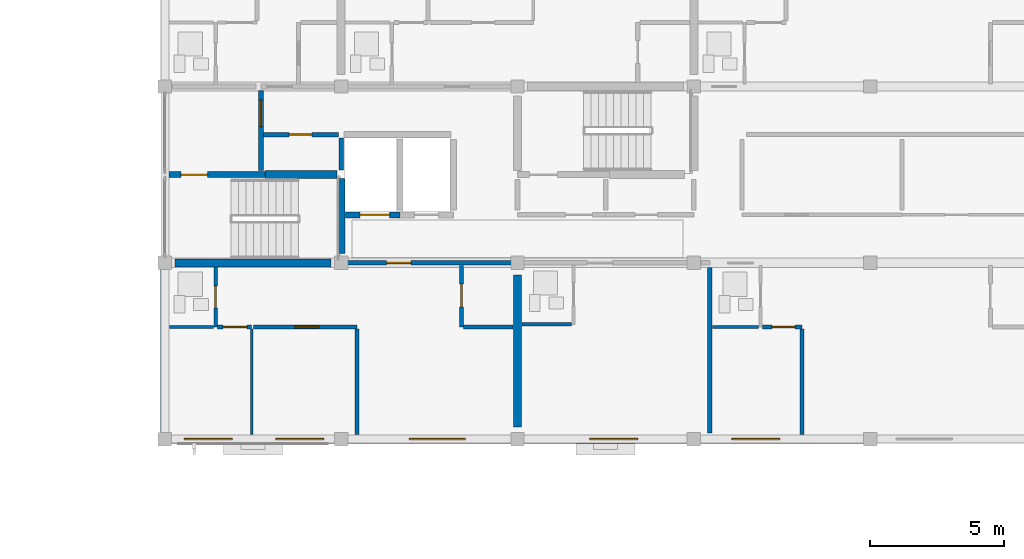
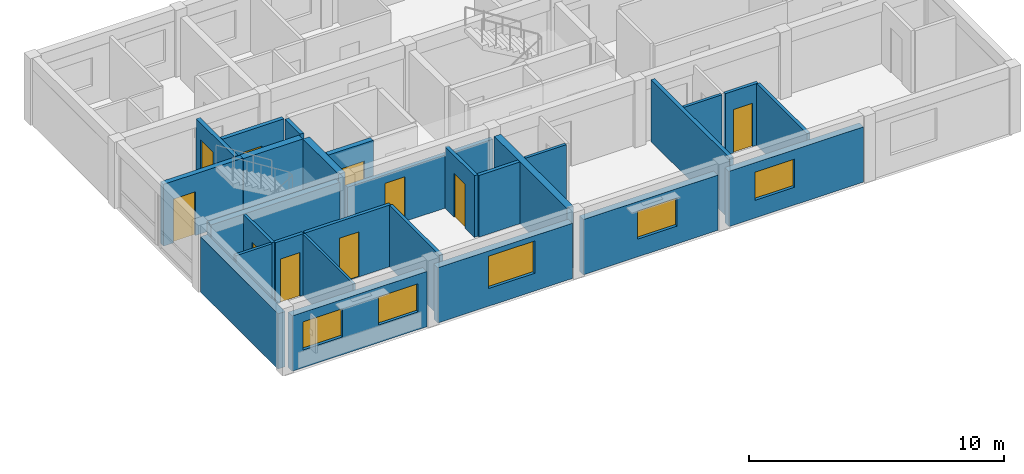
# One storey, part 37 of 53: 28 walls, 10 doors, 5 windows, 15 openings.
"""IFC4 building model written with IfcOpenShell, lengths in metres."""

import ifcopenshell
import ifcopenshell.guid

model = None  # the IFC model being written
_history = None  # IfcOwnerHistory: only IFC2X3 demands one
_inside = {}  # id of a spatial element -> (the spatial element, [elements in it])
_under = {}  # id of a project, library or spatial element -> (it, [spatial elements below it])
_declared = {}  # id of a project -> (the project, [libraries it declares])
_typed = {}  # id of a type object -> (the type object, [elements of that type])
_made_of = {}  # id of a material, layer set ... -> (it, [elements and type objects made of it])


def new_model(schema):
    """Start an empty IFC model of exactly this schema.

    Asked for "IFC4X3", IfcOpenShell would pick the latest addendum, in which some entities
    have other attributes; the version numbers below select the first issue.
    IFC2X3 requires an IfcOwnerHistory on every rooted entity: one is made here for all.
    """
    global model, _history
    if schema == "IFC4X3":
        model = ifcopenshell.file(schema_version=(4, 3, 0, 0))
    else:
        model = ifcopenshell.file(schema=schema)
    _inside.clear()
    _under.clear()
    _declared.clear()
    _typed.clear()
    _made_of.clear()
    _history = None
    if model.schema == "IFC2X3":
        org = make("IfcOrganization", Name="unknown")
        user = make(
            "IfcPersonAndOrganization",
            ThePerson=make("IfcPerson", FamilyName="unknown"),
            TheOrganization=org,
        )
        app = make(
            "IfcApplication",
            ApplicationDeveloper=org,
            Version="unknown",
            ApplicationFullName="unknown",
            ApplicationIdentifier="unknown",
        )
        _history = make(
            "IfcOwnerHistory",
            OwningUser=user,
            OwningApplication=app,
            ChangeAction="ADDED",
            CreationDate=0,
        )
    return model


def make(cls, **values):
    """One entity of the class cls with the attributes given. An attribute that is None is left unset."""
    return model.create_entity(
        cls, **{name: value for name, value in values.items() if value is not None}
    )


def rooted(cls, **values):
    """An entity with a GlobalId (a new one), such as an element, a storey or a relation."""
    return make(cls, GlobalId=ifcopenshell.guid.new(), OwnerHistory=_history, **values)


def si_unit(unit_type, name, prefix=None):
    """IfcSIUnit, for example si_unit("LENGTHUNIT", "METRE", prefix="MILLI")."""
    return make("IfcSIUnit", UnitType=unit_type, Prefix=prefix, Name=name)


def assignment(units):
    """IfcUnitAssignment: the units of a project."""
    return None if units is None else make("IfcUnitAssignment", Units=units)


def point(xyz):
    """IfcCartesianPoint."""
    return None if xyz is None else make("IfcCartesianPoint", Coordinates=xyz)


def direction(xyz):
    """IfcDirection."""
    return None if xyz is None else make("IfcDirection", DirectionRatios=xyz)


def frame(location, z_axis=None, x_axis=None):
    """IfcAxis2Placement3D, a coordinate frame: its origin and axes. An axis left out is left unset."""
    return make(
        "IfcAxis2Placement3D",
        Location=point(location),
        Axis=direction(z_axis),
        RefDirection=direction(x_axis),
    )


def frame_2d(location, x_axis=None):
    """IfcAxis2Placement2D, a coordinate frame in the plane: its origin and x axis."""
    return make(
        "IfcAxis2Placement2D", Location=point(location), RefDirection=direction(x_axis)
    )


def origin():
    """The frame at (0, 0, 0) with its axes left unset."""
    return frame((0.0, 0.0, 0.0))


def place(relative_to, where):
    """IfcLocalPlacement: puts the frame where relative to a parent placement (None: the world)."""
    return make(
        "IfcLocalPlacement", PlacementRelTo=relative_to, RelativePlacement=where
    )


def context(
    kind, dimensions, precision=None, world=None, true_north=None, identifier=None
):
    """IfcGeometricRepresentationContext, for example the 3D "Model" context."""
    return make(
        "IfcGeometricRepresentationContext",
        ContextIdentifier=identifier,
        ContextType=kind,
        CoordinateSpaceDimension=dimensions,
        Precision=precision,
        WorldCoordinateSystem=world,
        TrueNorth=true_north,
    )


def subcontext(parent, identifier, kind, view, scale=None):
    """IfcGeometricRepresentationSubContext, for example "Body" below "Model"."""
    return make(
        "IfcGeometricRepresentationSubContext",
        ContextIdentifier=identifier,
        ContextType=kind,
        ParentContext=parent,
        TargetScale=scale,
        TargetView=view,
    )


def project(units=None, contexts=None):
    """IfcProject with its units and contexts."""
    return rooted(
        "IfcProject",
        Name="project",
        RepresentationContexts=contexts,
        UnitsInContext=assignment(units),
    )


def spatial(cls, under=None, at=None, **own):
    """A site, building, storey or space (cls), placed at a placement, below another one or the project."""
    s = rooted(cls, ObjectPlacement=at, **own)
    if under is not None:
        _under.setdefault(under.id(), (under, []))[1].append(s)
    return s


def profile(cls, at=None, kind="AREA", **sizes):
    """A parametric profile (cls). Its sizes go by their IFC names, for example OverallWidth=200.0."""
    return make(cls, ProfileType=kind, Position=at, **sizes)


def rectangle(**sizes):
    """IfcRectangleProfileDef."""
    return profile("IfcRectangleProfileDef", **sizes)


def extrude(swept, where, along, depth):
    """IfcExtrudedAreaSolid: the profile swept, set in the frame where, extruded along a direction by depth."""
    return make(
        "IfcExtrudedAreaSolid",
        SweptArea=swept,
        Position=where,
        ExtrudedDirection=direction(along),
        Depth=depth,
    )


def shape(context_of_items, identifier, shape_type, items):
    """IfcShapeRepresentation: the items that make up one representation, for example the "Body"."""
    return make(
        "IfcShapeRepresentation",
        ContextOfItems=context_of_items,
        RepresentationIdentifier=identifier,
        RepresentationType=shape_type,
        Items=items,
    )


def material(Name=None, Category=None):
    """IfcMaterial."""
    return make("IfcMaterial", Name=Name, Category=Category)


def layer(
    of_material, thickness, ventilated=None, Name=None, Category=None, Priority=None
):
    """IfcMaterialLayer: one layer of a wall or slab, of a material (None: an air gap)."""
    return make(
        "IfcMaterialLayer",
        Material=of_material,
        LayerThickness=thickness,
        IsVentilated=ventilated,
        Name=Name,
        Category=Category,
        Priority=Priority,
    )


def layer_set(layers, Name=None):
    """IfcMaterialLayerSet."""
    return make("IfcMaterialLayerSet", MaterialLayers=layers, LayerSetName=Name)


def made_of(thing, what):
    """Note that an element or type object is made of a material, layer set ...; save() writes the relation."""
    if what is not None:
        _made_of.setdefault(what.id(), (what, []))[1].append(thing)
    return thing


def type_object(cls, material=None, **own):
    """A type object (cls), such as IfcWallType, which elements share."""
    return made_of(rooted(cls, **own), material)


def element(
    cls,
    number,
    at=None,
    inside=None,
    cuts=None,
    type_object=None,
    material=None,
    context=None,
    identifier="Body",
    shape_type=None,
    held_by="IfcProductDefinitionShape",
    body=None,
    shapes=None,
    **own,
):
    """One element of the class cls, such as IfcWall. Its Tag is "e" and its number.

    at: its placement. inside: the storey or other place that contains it. cuts: it is an
    opening in that element (IfcRelVoidsElement). A single representation is given by context,
    identifier, shape_type and body (its items); several are given by shapes. held_by: the class
    of the entity that holds the representations. save() writes the other relations.
    """
    e = rooted(cls, Tag="e%d" % number, ObjectPlacement=at, **own)
    if body is not None:
        shapes = [shape(context, identifier, shape_type, body)]
    if shapes is not None:
        e.Representation = make(held_by, Representations=shapes)
    if inside is not None:
        _inside.setdefault(inside.id(), (inside, []))[1].append(e)
    if cuts is not None:
        rooted(
            "IfcRelVoidsElement", RelatingBuildingElement=cuts, RelatedOpeningElement=e
        )
    if type_object is not None:
        _typed.setdefault(type_object.id(), (type_object, []))[1].append(e)
    return made_of(e, material)


def fill(opening, filler):
    """IfcRelFillsElement: the door or window that sits in an opening."""
    return rooted(
        "IfcRelFillsElement",
        RelatingOpeningElement=opening,
        RelatedBuildingElement=filler,
    )


def aggregate(whole, parts):
    """IfcRelAggregates: a whole, such as a stair, and the parts it consists of."""
    return rooted("IfcRelAggregates", RelatingObject=whole, RelatedObjects=parts)


def save(model, path):
    """Write the relations noted so far, then the file.

    IfcRelAggregates (storeys below a building ...), IfcRelContainedInSpatialStructure (elements
    in a storey), IfcRelDefinesByType, IfcRelAssociatesMaterial and IfcRelDeclares: one each for
    every whole, place, type object, material and project.
    """
    for whole, parts in _under.values():
        aggregate(whole, parts)
    for where, things in _inside.values():
        rooted(
            "IfcRelContainedInSpatialStructure",
            RelatedElements=things,
            RelatingStructure=where,
        )
    for kind, things in _typed.values():
        rooted("IfcRelDefinesByType", RelatedObjects=things, RelatingType=kind)
    for what, things in _made_of.values():
        rooted("IfcRelAssociatesMaterial", RelatedObjects=things, RelatingMaterial=what)
    for by, libraries in _declared.values():
        rooted("IfcRelDeclares", RelatingContext=by, RelatedDefinitions=libraries)
    model.write(path)


model = new_model("IFC4")

# Units and contexts
model_context = context("Model", 3, precision=1e-05, world=origin(), true_north=direction((0.0, 1.0)))
body_context = subcontext(model_context, "Body", "Model", "MODEL_VIEW")
ifc_project = project(units=[si_unit("LENGTHUNIT", "METRE"), si_unit("AREAUNIT", "SQUARE_METRE"), si_unit("VOLUMEUNIT", "CUBIC_METRE"), si_unit("PLANEANGLEUNIT", "RADIAN"), si_unit("MASSUNIT", "GRAM", prefix="KILO")], contexts=[model_context])

# Site, building, storey
site_placement = place(None, origin())
site = spatial("IfcSite", under=ifc_project, at=site_placement, CompositionType="ELEMENT")
building_placement = place(site_placement, origin())
building = spatial("IfcBuilding", under=site, at=building_placement, Name="Kernevlak Ridge Housing Community", CompositionType="ELEMENT")
storey_placement = place(building_placement, frame((0.0, 0.0, 18.0)))
storey = spatial("IfcBuildingStorey", under=building, at=storey_placement, Name="L05", CompositionType="ELEMENT", Elevation=18.0)

# Wall, openings, windows
ifc_material_1 = material(Name="Concrete block masonry M10", Category="masonry")
ifc_layer_1 = layer(ifc_material_1, 0.320068359375, Name="Concrete block masonry M10")
ifc_layer_set_1 = layer_set([ifc_layer_1], Name="Concrete block masonry M10")
wall_type_1 = type_object("IfcWallType", Name="EW-02", PredefinedType="STANDARD", material=ifc_layer_set_1)
wall_1_placement = place(storey_placement, frame((119.64990234375, 82.60009765625, 0.0), z_axis=(0.0, 0.0, 1.0), x_axis=(1.0, 0.0, 0.0)))
wall_1 = element("IfcWall", 1, at=wall_1_placement, inside=storey, type_object=wall_type_1, Name="Exterior wall EW-02 L05 371", PredefinedType="STANDARD", context=body_context, shape_type="SweptSolid", body=[
    extrude(rectangle(XDim=6.10009765625, YDim=0.320068359375, at=frame_2d((3.050048828125, 0.0))), origin(), (0.0, 0.0, 1.0), 2.64990234375),
])
opening_1_placement = place(wall_1_placement, frame((0.47509765625, 0.0, 0.85009765625)))
opening_1 = element("IfcOpeningElement", 2, at=opening_1_placement, cuts=wall_1, Name="Opening WT-03", PredefinedType="OPENING", context=body_context, shape_type="SweptSolid", body=[
    extrude(rectangle(XDim=1.800048828125, YDim=1.35009765625, at=frame_2d((0.89990234375, 0.675048828125))), frame((0.0, 0.169921875, 0.0), z_axis=(0.0, -1.0, 0.0), x_axis=(1.0, 0.0, 0.0)), (0.0, 0.0, 1.0), 0.340087890625),
])
opening_2_placement = place(wall_1_placement, frame((3.89990234375, 0.0, 0.85009765625)))
opening_2 = element("IfcOpeningElement", 3, at=opening_2_placement, cuts=wall_1, Name="Opening WT-03", PredefinedType="OPENING", context=body_context, shape_type="SweptSolid", body=[
    extrude(rectangle(XDim=1.800048828125, YDim=1.35009765625, at=frame_2d((0.89990234375, 0.675048828125))), frame((0.0, 0.169921875, 0.0), z_axis=(0.0, -1.0, 0.0), x_axis=(1.0, 0.0, 0.0)), (0.0, 0.0, 1.0), 0.340087890625),
])
ifc_material_2 = material(Name="Aluminium EN AW-6060 anodised and laminated glass", Category="aluminium")
window_type_1 = type_object("IfcWindowType", Name="WT-03", PartitioningType="SINGLE_PANEL", PredefinedType="WINDOW", material=ifc_material_2)
window_1_placement = place(opening_1_placement, origin())
window_1 = element("IfcWindow", 4, at=window_1_placement, inside=storey, type_object=window_type_1, Name="Window WT-03 L05 283", OverallHeight=1.35009765625, OverallWidth=1.800048828125, PartitioningType="SINGLE_PANEL", PredefinedType="WINDOW", context=body_context, shape_type="SweptSolid", body=[
    extrude(rectangle(XDim=1.800048828125, YDim=1.35009765625, at=frame_2d((0.89990234375, 0.675048828125))), frame((0.0, 0.030029296875, 0.0), z_axis=(0.0, -1.0, 0.0), x_axis=(1.0, 0.0, 0.0)), (0.0, 0.0, 1.0), 0.06005859375),
])
fill(opening_1, window_1)
window_2_placement = place(opening_2_placement, origin())
window_2 = element("IfcWindow", 5, at=window_2_placement, inside=storey, type_object=window_type_1, Name="Window WT-03 L05 284", OverallHeight=1.35009765625, OverallWidth=1.800048828125, PartitioningType="SINGLE_PANEL", PredefinedType="WINDOW", context=body_context, shape_type="SweptSolid", body=[
    extrude(rectangle(XDim=1.800048828125, YDim=1.35009765625, at=frame_2d((0.89990234375, 0.675048828125))), frame((0.0, 0.030029296875, 0.0), z_axis=(0.0, -1.0, 0.0), x_axis=(1.0, 0.0, 0.0)), (0.0, 0.0, 1.0), 0.06005859375),
])
fill(opening_2, window_2)

# Wall, opening, window
wall_2_placement = place(storey_placement, frame((126.25, 82.60009765625, 0.0), z_axis=(0.0, 0.0, 1.0), x_axis=(1.0, 0.0, 0.0)))
wall_2 = element("IfcWall", 6, at=wall_2_placement, inside=storey, type_object=wall_type_1, Name="Exterior wall EW-02 L05 372", PredefinedType="STANDARD", context=body_context, shape_type="SweptSolid", body=[
    extrude(rectangle(XDim=6.10009765625, YDim=0.320068359375, at=frame_2d((3.050048828125, 0.0))), origin(), (0.0, 0.0, 1.0), 2.64990234375),
])
opening_3_placement = place(wall_2_placement, frame((2.2958984375, 0.0, 0.85009765625)))
opening_3 = element("IfcOpeningElement", 7, at=opening_3_placement, cuts=wall_2, Name="Opening WT-05", PredefinedType="OPENING", context=body_context, shape_type="SweptSolid", body=[
    extrude(rectangle(XDim=2.10009765625, YDim=1.550048828125, at=frame_2d((1.050048828125, 0.77490234375))), frame((0.0, 0.169921875, 0.0), z_axis=(0.0, -1.0, 0.0), x_axis=(1.0, 0.0, 0.0)), (0.0, 0.0, 1.0), 0.340087890625),
])
window_type_2 = type_object("IfcWindowType", Name="WT-05", PartitioningType="SINGLE_PANEL", PredefinedType="WINDOW", material=ifc_material_2)
window_3_placement = place(opening_3_placement, origin())
window_3 = element("IfcWindow", 8, at=window_3_placement, inside=storey, type_object=window_type_2, Name="Window WT-05 L05 285", OverallHeight=1.550048828125, OverallWidth=2.10009765625, PartitioningType="SINGLE_PANEL", PredefinedType="WINDOW", context=body_context, shape_type="SweptSolid", body=[
    extrude(rectangle(XDim=2.10009765625, YDim=1.550048828125, at=frame_2d((1.050048828125, 0.77490234375))), frame((0.0, 0.030029296875, 0.0), z_axis=(0.0, -1.0, 0.0), x_axis=(1.0, 0.0, 0.0)), (0.0, 0.0, 1.0), 0.06005859375),
])
fill(opening_3, window_3)

wall_3_placement = place(storey_placement, frame((132.85009765625, 82.60009765625, 0.0), z_axis=(0.0, 0.0, 1.0), x_axis=(1.0, 0.0, 0.0)))
wall_3 = element("IfcWall", 9, at=wall_3_placement, inside=storey, type_object=wall_type_1, Name="Exterior wall EW-02 L05 373", PredefinedType="STANDARD", context=body_context, shape_type="SweptSolid", body=[
    extrude(rectangle(XDim=6.099853515625, YDim=0.320068359375, at=frame_2d((3.0498046875, 0.0))), origin(), (0.0, 0.0, 1.0), 2.64990234375),
])
opening_4_placement = place(wall_3_placement, frame((2.449951171875, 0.0, 0.85009765625)))
opening_4 = element("IfcOpeningElement", 10, at=opening_4_placement, cuts=wall_3, Name="Opening WT-03", PredefinedType="OPENING", context=body_context, shape_type="SweptSolid", body=[
    extrude(rectangle(XDim=1.800048828125, YDim=1.35009765625, at=frame_2d((0.89990234375, 0.675048828125))), frame((0.0, 0.169921875, 0.0), z_axis=(0.0, -1.0, 0.0), x_axis=(1.0, 0.0, 0.0)), (0.0, 0.0, 1.0), 0.340087890625),
])
window_4_placement = place(opening_4_placement, origin())
window_4 = element("IfcWindow", 11, at=window_4_placement, inside=storey, type_object=window_type_1, Name="Window WT-03 L05 286", OverallHeight=1.35009765625, OverallWidth=1.800048828125, PartitioningType="SINGLE_PANEL", PredefinedType="WINDOW", context=body_context, shape_type="SweptSolid", body=[
    extrude(rectangle(XDim=1.800048828125, YDim=1.35009765625, at=frame_2d((0.89990234375, 0.675048828125))), frame((0.0, 0.030029296875, 0.0), z_axis=(0.0, -1.0, 0.0), x_axis=(1.0, 0.0, 0.0)), (0.0, 0.0, 1.0), 0.06005859375),
])
fill(opening_4, window_4)

wall_4_placement = place(storey_placement, frame((139.449951171875, 82.60009765625, 0.0), z_axis=(0.0, 0.0, 1.0), x_axis=(1.0, 0.0, 0.0)))
wall_4 = element("IfcWall", 12, at=wall_4_placement, inside=storey, type_object=wall_type_1, Name="Exterior wall EW-02 L05 374", PredefinedType="STANDARD", context=body_context, shape_type="SweptSolid", body=[
    extrude(rectangle(XDim=6.10009765625, YDim=0.320068359375, at=frame_2d((3.050048828125, 0.0))), origin(), (0.0, 0.0, 1.0), 2.64990234375),
])
opening_5_placement = place(wall_4_placement, frame((1.175048828125, 0.0, 0.85009765625)))
opening_5 = element("IfcOpeningElement", 13, at=opening_5_placement, cuts=wall_4, Name="Opening WT-03", PredefinedType="OPENING", context=body_context, shape_type="SweptSolid", body=[
    extrude(rectangle(XDim=1.800048828125, YDim=1.35009765625, at=frame_2d((0.89990234375, 0.675048828125))), frame((0.0, 0.169921875, 0.0), z_axis=(0.0, -1.0, 0.0), x_axis=(1.0, 0.0, 0.0)), (0.0, 0.0, 1.0), 0.340087890625),
])
window_5_placement = place(opening_5_placement, origin())
window_5 = element("IfcWindow", 14, at=window_5_placement, inside=storey, type_object=window_type_1, Name="Window WT-03 L05 287", OverallHeight=1.35009765625, OverallWidth=1.800048828125, PartitioningType="SINGLE_PANEL", PredefinedType="WINDOW", context=body_context, shape_type="SweptSolid", body=[
    extrude(rectangle(XDim=1.800048828125, YDim=1.35009765625, at=frame_2d((0.89990234375, 0.675048828125))), frame((0.0, 0.030029296875, 0.0), z_axis=(0.0, -1.0, 0.0), x_axis=(1.0, 0.0, 0.0)), (0.0, 0.0, 1.0), 0.06005859375),
])
fill(opening_5, window_5)

# Wall
wall_5_placement = place(storey_placement, frame((119.39990234375, 82.85009765625, 0.0), z_axis=(0.0, 0.0, 1.0), x_axis=(0.0, 1.0, 0.0)))
element("IfcWall", 15, at=wall_5_placement, inside=storey, type_object=wall_type_1, Name="Exterior wall EW-02 L05 383", PredefinedType="STANDARD", context=body_context, shape_type="SweptSolid", body=[
    extrude(rectangle(XDim=6.099853515625, YDim=0.320068359375, at=frame_2d((3.0498046875, 0.0))), origin(), (0.0, 0.0, 1.0), 2.64990234375),
])

# Wall, opening, door
ifc_material_3 = material(Name="Concrete C35/45", Category="concrete")
ifc_layer_2 = layer(ifc_material_3, 0.22509765625, Name="Concrete C35/45")
ifc_layer_set_2 = layer_set([ifc_layer_2], Name="Concrete C35/45")
wall_type_2 = type_object("IfcWallType", Name="PW-01", PredefinedType="STANDARD", material=ifc_layer_set_2)
wall_6_placement = place(storey_placement, frame((119.550048828125, 92.5, 0.0), z_axis=(0.0, 0.0, 1.0), x_axis=(1.0, 0.0, 0.0)))
wall_6 = element("IfcWall", 16, at=wall_6_placement, inside=storey, type_object=wall_type_2, Name="Interior wall PW-01 WAL-INT-L05-1444", PredefinedType="STANDARD", context=body_context, shape_type="SweptSolid", body=[
    extrude(rectangle(XDim=3.599853515625, YDim=0.22509765625, at=frame_2d((1.7998046875, 0.0))), origin(), (0.0, 0.0, 1.0), 2.9599609375),
])
opening_6_placement = place(wall_6_placement, frame((0.449951171875, 0.0, 0.0)))
opening_6 = element("IfcOpeningElement", 17, at=opening_6_placement, cuts=wall_6, Name="Opening D732", PredefinedType="OPENING", context=body_context, shape_type="SweptSolid", body=[
    extrude(rectangle(XDim=1.0, YDim=2.10009765625, at=frame_2d((0.5, 1.050048828125))), frame((0.0, 0.12255859375, 0.0), z_axis=(0.0, -1.0, 0.0), x_axis=(1.0, 0.0, 0.0)), (0.0, 0.0, 1.0), 0.2451171875),
])
ifc_material_4 = material(Name="Fire-rated sheet steel leaf", Category="steel")
door_type_1 = type_object("IfcDoorType", Name="DT-05", OperationType="NOTDEFINED", PredefinedType="DOOR", material=ifc_material_4)
door_1_placement = place(opening_6_placement, origin())
door_1 = element("IfcDoor", 18, at=door_1_placement, inside=storey, type_object=door_type_1, Name="Block B Stair 1 fire door D732", OperationType="SINGLE_SWING_RIGHT", OverallHeight=2.10009765625, OverallWidth=1.0, PredefinedType="DOOR", context=body_context, shape_type="SweptSolid", body=[
    extrude(rectangle(XDim=1.0, YDim=2.10009765625, at=frame_2d((0.5, 1.050048828125))), frame((0.0, 0.02490234375, 0.0), z_axis=(0.0, -1.0, 0.0), x_axis=(1.0, 0.0, 0.0)), (0.0, 0.0, 1.0), 0.050048828125),
])
fill(opening_6, door_1)

wall_7_placement = place(storey_placement, frame((126.159912109375, 91.0, 0.0), z_axis=(0.0, 0.0, 1.0), x_axis=(1.0, 0.0, 0.0)))
wall_7 = element("IfcWall", 19, at=wall_7_placement, inside=storey, type_object=wall_type_2, Name="Interior wall PW-01 WAL-INT-L05-1448", PredefinedType="STANDARD", context=body_context, shape_type="SweptSolid", body=[
    extrude(rectangle(XDim=2.0400390625, YDim=0.22509765625, at=frame_2d((1.02001953125, 0.0))), origin(), (0.0, 0.0, 1.0), 2.9599609375),
])
opening_7_placement = place(wall_7_placement, frame((0.550048828125, 0.0, 0.0)))
opening_7 = element("IfcOpeningElement", 20, at=opening_7_placement, cuts=wall_7, Name="Opening LD40", PredefinedType="OPENING", context=body_context, shape_type="SweptSolid", body=[
    extrude(rectangle(XDim=1.10009765625, YDim=2.10009765625, at=frame_2d((0.550048828125, 1.050048828125))), frame((0.0, 0.12255859375, 0.0), z_axis=(0.0, -1.0, 0.0), x_axis=(1.0, 0.0, 0.0)), (0.0, 0.0, 1.0), 0.2451171875),
])
ifc_material_5 = material(Name="Stainless steel EN 1.4401", Category="steel")
door_type_2 = type_object("IfcDoorType", Name="DT-LD1", OperationType="DOUBLE_DOOR_SLIDING", PredefinedType="DOOR", material=ifc_material_5)
door_2_placement = place(opening_7_placement, origin())
door_2 = element("IfcDoor", 21, at=door_2_placement, inside=storey, type_object=door_type_2, Name="Lift LF-B1 landing door LD40", OperationType="DOUBLE_DOOR_SLIDING", OverallHeight=2.10009765625, OverallWidth=1.10009765625, PredefinedType="DOOR", context=body_context, shape_type="SweptSolid", body=[
    extrude(rectangle(XDim=1.10009765625, YDim=2.10009765625, at=frame_2d((0.550048828125, 1.050048828125))), frame((0.0, 0.02490234375, 0.0), z_axis=(0.0, -1.0, 0.0), x_axis=(1.0, 0.0, 0.0)), (0.0, 0.0, 1.0), 0.050048828125),
])
fill(opening_7, door_2)

ifc_layer_3 = layer(ifc_material_1, 0.175048828125, Name="Concrete block masonry M10")
ifc_layer_set_3 = layer_set([ifc_layer_3], Name="Concrete block masonry M10")
wall_type_3 = type_object("IfcWallType", Name="PW-02", PredefinedType="PARTITIONING", material=ifc_layer_set_3)
wall_8_placement = place(storey_placement, frame((123.0, 92.64990234375, 0.0), z_axis=(0.0, 0.0, 1.0), x_axis=(0.0, 1.0, 0.0)))
wall_8 = element("IfcWall", 22, at=wall_8_placement, inside=storey, type_object=wall_type_3, Name="Interior wall PW-02 WAL-INT-L05-1445", PredefinedType="PARTITIONING", context=body_context, shape_type="SweptSolid", body=[
    extrude(rectangle(XDim=3.0, YDim=0.175048828125, at=frame_2d((1.5, 0.0))), origin(), (0.0, 0.0, 1.0), 2.9599609375),
])
opening_8_placement = place(wall_8_placement, frame((1.64990234375, 0.0, 0.0)))
opening_8 = element("IfcOpeningElement", 23, at=opening_8_placement, cuts=wall_8, Name="Opening D733", PredefinedType="OPENING", context=body_context, shape_type="SweptSolid", body=[
    extrude(rectangle(XDim=1.0, YDim=2.159912109375, at=frame_2d((0.5, 1.080078125))), frame((0.0, 0.097412109375, 0.0), z_axis=(0.0, -1.0, 0.0), x_axis=(1.0, 0.0, 0.0)), (0.0, 0.0, 1.0), 0.195068359375),
])
door_type_3 = type_object("IfcDoorType", Name="DT-15", OperationType="NOTDEFINED", PredefinedType="DOOR", material=ifc_material_4)
door_3_placement = place(opening_8_placement, origin())
door_3 = element("IfcDoor", 24, at=door_3_placement, inside=storey, type_object=door_type_3, Name="Block B Firefighting lobby 1 door D733", OperationType="SINGLE_SWING_LEFT", OverallHeight=2.159912109375, OverallWidth=1.0, PredefinedType="DOOR", context=body_context, shape_type="SweptSolid", body=[
    extrude(rectangle(XDim=1.0, YDim=2.159912109375, at=frame_2d((0.5, 1.080078125))), frame((0.0, 0.02490234375, 0.0), z_axis=(0.0, -1.0, 0.0), x_axis=(1.0, 0.0, 0.0)), (0.0, 0.0, 1.0), 0.050048828125),
])
fill(opening_8, door_3)

wall_9_placement = place(storey_placement, frame((123.10009765625, 94.0, 0.0), z_axis=(0.0, 0.0, 1.0), x_axis=(1.0, 0.0, 0.0)))
wall_9 = element("IfcWall", 25, at=wall_9_placement, inside=storey, type_object=wall_type_3, Name="Interior wall PW-02 WAL-INT-L05-1446", PredefinedType="PARTITIONING", context=body_context, shape_type="SweptSolid", body=[
    extrude(rectangle(XDim=2.7998046875, YDim=0.175048828125, at=frame_2d((1.39990234375, 0.0))), origin(), (0.0, 0.0, 1.0), 2.9599609375),
])
opening_9_placement = place(wall_9_placement, frame((0.949951171875, 0.0, 0.0)))
opening_9 = element("IfcOpeningElement", 26, at=opening_9_placement, cuts=wall_9, Name="Opening D734", PredefinedType="OPENING", context=body_context, shape_type="SweptSolid", body=[
    extrude(rectangle(XDim=0.85009765625, YDim=2.0, at=frame_2d((0.425048828125, 1.0))), frame((0.0, 0.097412109375, 0.0), z_axis=(0.0, -1.0, 0.0), x_axis=(1.0, 0.0, 0.0)), (0.0, 0.0, 1.0), 0.195068359375),
])
door_type_4 = type_object("IfcDoorType", Name="DT-07", OperationType="NOTDEFINED", PredefinedType="DOOR", material=ifc_material_4)
door_4_placement = place(opening_9_placement, origin())
door_4 = element("IfcDoor", 27, at=door_4_placement, inside=storey, type_object=door_type_4, Name="Block B Riser shaft door D734", OperationType="SINGLE_SWING_RIGHT", OverallHeight=2.0, OverallWidth=0.85009765625, PredefinedType="DOOR", context=body_context, shape_type="SweptSolid", body=[
    extrude(rectangle(XDim=0.85009765625, YDim=2.0, at=frame_2d((0.425048828125, 1.0))), frame((0.0, 0.02490234375, 0.0), z_axis=(0.0, -1.0, 0.0), x_axis=(1.0, 0.0, 0.0)), (0.0, 0.0, 1.0), 0.050048828125),
])
fill(opening_9, door_4)

# Wall
wall_10_placement = place(storey_placement, frame((126.0, 92.679931640625, 0.0), z_axis=(0.0, 0.0, 1.0), x_axis=(0.0, 1.0, 0.0)))
element("IfcWall", 28, at=wall_10_placement, inside=storey, type_object=wall_type_3, Name="Interior wall PW-02 WAL-INT-L05-1447", PredefinedType="PARTITIONING", context=body_context, shape_type="SweptSolid", body=[
    extrude(rectangle(XDim=1.190185546875, YDim=0.175048828125, at=frame_2d((0.59521484375, 0.0))), origin(), (0.0, 0.0, 1.0), 2.9599609375),
])

# Wall, opening, door
wall_11_placement = place(storey_placement, frame((126.0, 89.199951171875, 0.0), z_axis=(0.0, 0.0, 1.0), x_axis=(1.0, 0.0, 0.0)))
wall_11 = element("IfcWall", 29, at=wall_11_placement, inside=storey, type_object=wall_type_3, Name="Interior wall PW-02 WAL-INT-L05-1465", PredefinedType="PARTITIONING", context=body_context, shape_type="SweptSolid", body=[
    extrude(rectangle(XDim=6.60009765625, YDim=0.175048828125, at=frame_2d((3.300048828125, 0.0))), origin(), (0.0, 0.0, 1.0), 2.550048828125),
])
opening_10_placement = place(wall_11_placement, frame((1.699951171875, 0.0, 0.0)))
opening_10 = element("IfcOpeningElement", 30, at=opening_10_placement, cuts=wall_11, Name="Opening D740", PredefinedType="OPENING", context=body_context, shape_type="SweptSolid", body=[
    extrude(rectangle(XDim=0.919921875, YDim=2.139892578125, at=frame_2d((0.4599609375, 1.06982421875))), frame((0.0, 0.097412109375, 0.0), z_axis=(0.0, -1.0, 0.0), x_axis=(1.0, 0.0, 0.0)), (0.0, 0.0, 1.0), 0.195068359375),
])
ifc_material_6 = material(Name="Hardwood timber solid-core fire leaf", Category="wood")
door_type_5 = type_object("IfcDoorType", Name="DT-20", OperationType="NOTDEFINED", PredefinedType="DOOR", material=ifc_material_6)
door_5_placement = place(opening_10_placement, origin())
door_5 = element("IfcDoor", 31, at=door_5_placement, inside=storey, type_object=door_type_5, Name="Flat B0511 entrance fire door D740", OperationType="SINGLE_SWING_RIGHT", OverallHeight=2.139892578125, OverallWidth=0.919921875, PredefinedType="DOOR", context=body_context, shape_type="SweptSolid", body=[
    extrude(rectangle(XDim=0.919921875, YDim=2.139892578125, at=frame_2d((0.4599609375, 1.06982421875))), frame((0.0, 0.02490234375, 0.0), z_axis=(0.0, -1.0, 0.0), x_axis=(1.0, 0.0, 0.0)), (0.0, 0.0, 1.0), 0.050048828125),
])
fill(opening_10, door_5)

# Wall
wall_12_placement = place(storey_placement, frame((139.800048828125, 89.02001953125, 0.0), z_axis=(0.0, 0.0, 1.0), x_axis=(0.0, -1.0, 0.0)))
element("IfcWall", 32, at=wall_12_placement, inside=storey, type_object=wall_type_3, Name="Interior wall PW-02 WAL-INT-L05-1477", PredefinedType="PARTITIONING", context=body_context, shape_type="SweptSolid", body=[
    extrude(rectangle(XDim=6.18994140625, YDim=0.175048828125, at=frame_2d((3.094970703125, 0.0))), origin(), (0.0, 0.0, 1.0), 2.9599609375),
])

# Wall, opening, door
ifc_layer_4 = layer(ifc_material_1, 0.14501953125, Name="Concrete block masonry M10")
ifc_layer_set_4 = layer_set([ifc_layer_4], Name="Concrete block masonry M10")
wall_type_4 = type_object("IfcWallType", Name="PW-03", PredefinedType="PARTITIONING", material=ifc_layer_set_4)
wall_13_placement = place(storey_placement, frame((121.37255859375, 86.800048828125, 0.0), z_axis=(0.0, 0.0, 1.0), x_axis=(1.0, 0.0, 0.0)))
wall_13 = element("IfcWall", 33, at=wall_13_placement, inside=storey, type_object=wall_type_4, Name="Interior wall PW-03 WAL-INT-L05-1470", PredefinedType="PARTITIONING", context=body_context, shape_type="SweptSolid", body=[
    extrude(rectangle(XDim=1.27734375, YDim=0.14501953125, at=frame_2d((0.638671875, 0.0))), origin(), (0.0, 0.0, 1.0), 2.9599609375),
])
opening_11_placement = place(wall_13_placement, frame((0.20751953125, 0.0, 0.0)))
opening_11 = element("IfcOpeningElement", 34, at=opening_11_placement, cuts=wall_13, Name="Opening D743", PredefinedType="OPENING", context=body_context, shape_type="SweptSolid", body=[
    extrude(rectangle(XDim=0.89990234375, YDim=2.10009765625, at=frame_2d((0.449951171875, 1.050048828125))), frame((0.0, 0.08251953125, 0.0), z_axis=(0.0, -1.0, 0.0), x_axis=(1.0, 0.0, 0.0)), (0.0, 0.0, 1.0), 0.1650390625),
])
ifc_material_7 = material(Name="Hardwood timber leaf", Category="wood")
door_type_6 = type_object("IfcDoorType", Name="DT-21", OperationType="NOTDEFINED", PredefinedType="DOOR", material=ifc_material_7)
door_6_placement = place(opening_11_placement, origin())
door_6 = element("IfcDoor", 35, at=door_6_placement, inside=storey, type_object=door_type_6, Name="Flat B0511 bedroom door D743", OperationType="SINGLE_SWING_LEFT", OverallHeight=2.10009765625, OverallWidth=0.89990234375, PredefinedType="DOOR", context=body_context, shape_type="SweptSolid", body=[
    extrude(rectangle(XDim=0.89990234375, YDim=2.10009765625, at=frame_2d((0.449951171875, 1.050048828125))), frame((0.0, 0.02490234375, 0.0), z_axis=(0.0, -1.0, 0.0), x_axis=(1.0, 0.0, 0.0)), (0.0, 0.0, 1.0), 0.050048828125),
])
fill(opening_11, door_6)

wall_14_placement = place(storey_placement, frame((122.71240234375, 86.800048828125, 0.0), z_axis=(0.0, 0.0, 1.0), x_axis=(1.0, 0.0, 0.0)))
wall_14 = element("IfcWall", 36, at=wall_14_placement, inside=storey, type_object=wall_type_4, Name="Interior wall PW-03 WAL-INT-L05-1472", PredefinedType="PARTITIONING", context=body_context, shape_type="SweptSolid", body=[
    extrude(rectangle(XDim=3.879638671875, YDim=0.14501953125, at=frame_2d((1.93994140625, 0.0))), origin(), (0.0, 0.0, 1.0), 2.9599609375),
])
opening_12_placement = place(wall_14_placement, frame((1.5458984375, 0.0, 0.0)))
opening_12 = element("IfcOpeningElement", 37, at=opening_12_placement, cuts=wall_14, Name="Opening D744", PredefinedType="OPENING", context=body_context, shape_type="SweptSolid", body=[
    extrude(rectangle(XDim=0.89990234375, YDim=2.159912109375, at=frame_2d((0.449951171875, 1.080078125))), frame((0.0, 0.08251953125, 0.0), z_axis=(0.0, -1.0, 0.0), x_axis=(1.0, 0.0, 0.0)), (0.0, 0.0, 1.0), 0.1650390625),
])
door_type_7 = type_object("IfcDoorType", Name="DT-22", OperationType="NOTDEFINED", PredefinedType="DOOR", material=ifc_material_7)
door_7_placement = place(opening_12_placement, origin())
door_7 = element("IfcDoor", 38, at=door_7_placement, inside=storey, type_object=door_type_7, Name="Flat B0511 bedroom door D744", OperationType="SINGLE_SWING_RIGHT", OverallHeight=2.159912109375, OverallWidth=0.89990234375, PredefinedType="DOOR", context=body_context, shape_type="SweptSolid", body=[
    extrude(rectangle(XDim=0.89990234375, YDim=2.159912109375, at=frame_2d((0.449951171875, 1.080078125))), frame((0.0, 0.02490234375, 0.0), z_axis=(0.0, -1.0, 0.0), x_axis=(1.0, 0.0, 0.0)), (0.0, 0.0, 1.0), 0.050048828125),
])
fill(opening_12, door_7)

# Wall
wall_15_placement = place(storey_placement, frame((126.592041015625, 86.717529296875, 0.0), z_axis=(0.0, 0.0, 1.0), x_axis=(0.0, -1.0, 0.0)))
element("IfcWall", 39, at=wall_15_placement, inside=storey, type_object=wall_type_4, Name="Interior wall PW-03 WAL-INT-L05-1473", PredefinedType="PARTITIONING", context=body_context, shape_type="SweptSolid", body=[
    extrude(rectangle(XDim=3.947509765625, YDim=0.14501953125, at=frame_2d((1.9736328125, 0.0))), origin(), (0.0, 0.0, 1.0), 2.9599609375),
])

# Wall, opening, door
wall_16_placement = place(storey_placement, frame((141.7724609375, 86.800048828125, 0.0), z_axis=(0.0, 0.0, 1.0), x_axis=(1.0, 0.0, 0.0)))
wall_16 = element("IfcWall", 40, at=wall_16_placement, inside=storey, type_object=wall_type_4, Name="Interior wall PW-03 WAL-INT-L05-1483", PredefinedType="PARTITIONING", context=body_context, shape_type="SweptSolid", body=[
    extrude(rectangle(XDim=1.4775390625, YDim=0.14501953125, at=frame_2d((0.73876953125, 0.0))), origin(), (0.0, 0.0, 1.0), 2.9599609375),
])
opening_13_placement = place(wall_16_placement, frame((0.35009765625, 0.0, 0.0)))
opening_13 = element("IfcOpeningElement", 41, at=opening_13_placement, cuts=wall_16, Name="Opening D750", PredefinedType="OPENING", context=body_context, shape_type="SweptSolid", body=[
    extrude(rectangle(XDim=0.8701171875, YDim=2.080078125, at=frame_2d((0.43505859375, 1.0400390625))), frame((0.0, 0.08251953125, 0.0), z_axis=(0.0, -1.0, 0.0), x_axis=(1.0, 0.0, 0.0)), (0.0, 0.0, 1.0), 0.1650390625),
])
door_type_8 = type_object("IfcDoorType", Name="DT-32", OperationType="NOTDEFINED", PredefinedType="DOOR", material=ifc_material_7)
door_8_placement = place(opening_13_placement, origin())
door_8 = element("IfcDoor", 42, at=door_8_placement, inside=storey, type_object=door_type_8, Name="Flat B0513 bedroom door D750", OperationType="SINGLE_SWING_RIGHT", OverallHeight=2.080078125, OverallWidth=0.8701171875, PredefinedType="DOOR", context=body_context, shape_type="SweptSolid", body=[
    extrude(rectangle(XDim=0.8701171875, YDim=2.080078125, at=frame_2d((0.43505859375, 1.0400390625))), frame((0.0, 0.02490234375, 0.0), z_axis=(0.0, -1.0, 0.0), x_axis=(1.0, 0.0, 0.0)), (0.0, 0.0, 1.0), 0.050048828125),
])
fill(opening_13, door_8)

# Wall
wall_17_placement = place(storey_placement, frame((143.25, 86.717529296875, 0.0), z_axis=(0.0, 0.0, 1.0), x_axis=(0.0, -1.0, 0.0)))
element("IfcWall", 43, at=wall_17_placement, inside=storey, type_object=wall_type_4, Name="Interior wall PW-03 WAL-INT-L05-1484", PredefinedType="PARTITIONING", context=body_context, shape_type="SweptSolid", body=[
    extrude(rectangle(XDim=3.947509765625, YDim=0.14501953125, at=frame_2d((1.9736328125, 0.0))), origin(), (0.0, 0.0, 1.0), 2.9599609375),
])

# Wall, opening, door
ifc_material_8 = material(Name="Gypsum plasterboard EN 520", Category="gypsum")
ifc_layer_5 = layer(ifc_material_8, 0.125, Name="Gypsum plasterboard EN 520")
ifc_layer_set_5 = layer_set([ifc_layer_5], Name="Gypsum plasterboard EN 520")
wall_type_5 = type_object("IfcWallType", Name="PW-04", PredefinedType="PARTITIONING", material=ifc_layer_set_5)
wall_18_placement = place(storey_placement, frame((121.300048828125, 89.0400390625, 0.0), z_axis=(0.0, 0.0, 1.0), x_axis=(0.0, -1.0, 0.0)))
wall_18 = element("IfcWall", 44, at=wall_18_placement, inside=storey, type_object=wall_type_5, Name="Interior wall PW-04 WAL-INT-L05-1466", PredefinedType="PARTITIONING", context=body_context, shape_type="SweptSolid", body=[
    extrude(rectangle(XDim=2.239990234375, YDim=0.125, at=frame_2d((1.1201171875, 0.0))), origin(), (0.0, 0.0, 1.0), 2.9599609375),
])
opening_14_placement = place(wall_18_placement, frame((0.699951171875, 0.0, 0.0)))
opening_14 = element("IfcOpeningElement", 45, at=opening_14_placement, cuts=wall_18, Name="Opening D741", PredefinedType="OPENING", context=body_context, shape_type="SweptSolid", body=[
    extrude(rectangle(XDim=0.820068359375, YDim=2.050048828125, at=frame_2d((0.41015625, 1.02490234375))), frame((0.0, 0.072509765625, 0.0), z_axis=(0.0, -1.0, 0.0), x_axis=(1.0, 0.0, 0.0)), (0.0, 0.0, 1.0), 0.14501953125),
])
ifc_material_9 = material(Name="Hardwood timber moisture-resistant leaf", Category="wood")
door_type_9 = type_object("IfcDoorType", Name="DT-30", OperationType="NOTDEFINED", PredefinedType="DOOR", material=ifc_material_9)
door_9_placement = place(opening_14_placement, origin())
door_9 = element("IfcDoor", 46, at=door_9_placement, inside=storey, type_object=door_type_9, Name="Flat B0511 bathroom door D741", OperationType="SINGLE_SWING_LEFT", OverallHeight=2.050048828125, OverallWidth=0.820068359375, PredefinedType="DOOR", context=body_context, shape_type="SweptSolid", body=[
    extrude(rectangle(XDim=0.820068359375, YDim=2.050048828125, at=frame_2d((0.41015625, 1.02490234375))), frame((0.0, 0.02490234375, 0.0), z_axis=(0.0, -1.0, 0.0), x_axis=(1.0, 0.0, 0.0)), (0.0, 0.0, 1.0), 0.050048828125),
])
fill(opening_14, door_9)

# Walls
wall_19_placement = place(storey_placement, frame((119.570068359375, 86.800048828125, 0.0), z_axis=(0.0, 0.0, 1.0), x_axis=(1.0, 0.0, 0.0)))
element("IfcWall", 47, at=wall_19_placement, inside=storey, type_object=wall_type_5, Name="Interior wall PW-04 WAL-INT-L05-1467", PredefinedType="PARTITIONING", context=body_context, shape_type="SweptSolid", body=[
    extrude(rectangle(XDim=1.64990234375, YDim=0.125, at=frame_2d((0.824951171875, 0.0))), origin(), (0.0, 0.0, 1.0), 2.9599609375),
])
wall_20_placement = place(storey_placement, frame((132.760009765625, 86.89990234375, 0.0), z_axis=(0.0, 0.0, 1.0), x_axis=(1.0, 0.0, 0.0)))
element("IfcWall", 48, at=wall_20_placement, inside=storey, type_object=wall_type_5, Name="Interior wall PW-04 WAL-INT-L05-1476", PredefinedType="PARTITIONING", context=body_context, shape_type="SweptSolid", body=[
    extrude(rectangle(XDim=1.860107421875, YDim=0.125, at=frame_2d((0.93017578125, 0.0))), origin(), (0.0, 0.0, 1.0), 2.9599609375),
])
wall_21_placement = place(storey_placement, frame((139.8974609375, 86.800048828125, 0.0), z_axis=(0.0, 0.0, 1.0), x_axis=(1.0, 0.0, 0.0)))
element("IfcWall", 49, at=wall_21_placement, inside=storey, type_object=wall_type_5, Name="Interior wall PW-04 WAL-INT-L05-1480", PredefinedType="PARTITIONING", context=body_context, shape_type="SweptSolid", body=[
    extrude(rectangle(XDim=1.72265625, YDim=0.125, at=frame_2d((0.861328125, 0.0))), origin(), (0.0, 0.0, 1.0), 2.9599609375),
])

# Wall, opening, door
ifc_layer_6 = layer(ifc_material_8, 0.155029296875, Name="Gypsum plasterboard EN 520")
ifc_layer_set_6 = layer_set([ifc_layer_6], Name="Gypsum plasterboard EN 520")
wall_type_6 = type_object("IfcWallType", Name="PW-05", PredefinedType="PARTITIONING", material=ifc_layer_set_6)
wall_22_placement = place(storey_placement, frame((130.5, 89.1025390625, 0.0), z_axis=(0.0, 0.0, 1.0), x_axis=(0.0, -1.0, 0.0)))
wall_22 = element("IfcWall", 50, at=wall_22_placement, inside=storey, type_object=wall_type_6, Name="Interior wall PW-05 WAL-INT-L05-1468", PredefinedType="PARTITIONING", context=body_context, shape_type="SweptSolid", body=[
    extrude(rectangle(XDim=2.302490234375, YDim=0.155029296875, at=frame_2d((1.1513671875, 0.0))), origin(), (0.0, 0.0, 1.0), 2.9599609375),
])
opening_15_placement = place(wall_22_placement, frame((0.699951171875, 0.0, 0.0)))
opening_15 = element("IfcOpeningElement", 51, at=opening_15_placement, cuts=wall_22, Name="Opening D742", PredefinedType="OPENING", context=body_context, shape_type="SweptSolid", body=[
    extrude(rectangle(XDim=0.85009765625, YDim=2.10009765625, at=frame_2d((0.425048828125, 1.050048828125))), frame((0.0, 0.08740234375, 0.0), z_axis=(0.0, -1.0, 0.0), x_axis=(1.0, 0.0, 0.0)), (0.0, 0.0, 1.0), 0.175048828125),
])
door_type_10 = type_object("IfcDoorType", Name="DT-03", OperationType="NOTDEFINED", PredefinedType="DOOR", material=ifc_material_7)
door_10_placement = place(opening_15_placement, origin())
door_10 = element("IfcDoor", 52, at=door_10_placement, inside=storey, type_object=door_type_10, Name="Flat B0511 kitchen door D742", OperationType="SINGLE_SWING_RIGHT", OverallHeight=2.10009765625, OverallWidth=0.85009765625, PredefinedType="DOOR", context=body_context, shape_type="SweptSolid", body=[
    extrude(rectangle(XDim=0.85009765625, YDim=2.10009765625, at=frame_2d((0.425048828125, 1.050048828125))), frame((0.0, 0.02490234375, 0.0), z_axis=(0.0, -1.0, 0.0), x_axis=(1.0, 0.0, 0.0)), (0.0, 0.0, 1.0), 0.050048828125),
])
fill(opening_15, door_10)

# Walls
wall_23_placement = place(storey_placement, frame((130.58740234375, 86.800048828125, 0.0), z_axis=(0.0, 0.0, 1.0), x_axis=(1.0, 0.0, 0.0)))
element("IfcWall", 53, at=wall_23_placement, inside=storey, type_object=wall_type_6, Name="Interior wall PW-05 WAL-INT-L05-1469", PredefinedType="PARTITIONING", context=body_context, shape_type="SweptSolid", body=[
    extrude(rectangle(XDim=1.8525390625, YDim=0.155029296875, at=frame_2d((0.92626953125, 0.0))), origin(), (0.0, 0.0, 1.0), 2.9599609375),
])
ifc_layer_7 = layer(ifc_material_8, 0.10498046875, Name="Gypsum plasterboard EN 520")
ifc_layer_set_7 = layer_set([ifc_layer_7], Name="Gypsum plasterboard EN 520")
wall_type_7 = type_object("IfcWallType", Name="PW-06", PredefinedType="PARTITIONING", material=ifc_layer_set_7)
wall_24_placement = place(storey_placement, frame((122.64990234375, 86.717529296875, 0.0), z_axis=(0.0, 0.0, 1.0), x_axis=(0.0, -1.0, 0.0)))
element("IfcWall", 54, at=wall_24_placement, inside=storey, type_object=wall_type_7, Name="Interior wall PW-06 WAL-INT-L05-1471", PredefinedType="PARTITIONING", context=body_context, shape_type="SweptSolid", body=[
    extrude(rectangle(XDim=3.947509765625, YDim=0.10498046875, at=frame_2d((1.9736328125, 0.0))), origin(), (0.0, 0.0, 1.0), 2.9599609375),
])
ifc_material_10 = material(Name="Concrete C40/50", Category="concrete")
ifc_layer_8 = layer(ifc_material_10, 0.300048828125, Name="Concrete C40/50")
ifc_layer_set_8 = layer_set([ifc_layer_8], Name="Concrete C40/50")
wall_type_8 = type_object("IfcWallType", Name="SW-02", PredefinedType="SHEAR", material=ifc_layer_set_8)
wall_25_placement = place(storey_placement, frame((119.780029296875, 89.199951171875, 0.0), z_axis=(0.0, 0.0, 1.0), x_axis=(1.0, 0.0, 0.0)))
element("IfcWall", 55, at=wall_25_placement, inside=storey, type_object=wall_type_8, Name="Shear wall SW-02 Block B L05 261", PredefinedType="SHEAR", context=body_context, shape_type="SweptSolid", body=[
    extrude(rectangle(XDim=5.840087890625, YDim=0.300048828125, at=frame_2d((2.919921875, 0.0))), origin(), (0.0, 0.0, 1.0), 2.9599609375),
])
wall_26_placement = place(storey_placement, frame((123.14990234375, 92.5, 0.0), z_axis=(0.0, 0.0, 1.0), x_axis=(1.0, 0.0, 0.0)))
element("IfcWall", 56, at=wall_26_placement, inside=storey, type_object=wall_type_8, Name="Shear wall SW-02 Block B L05 262", PredefinedType="SHEAR", context=body_context, shape_type="SweptSolid", body=[
    extrude(rectangle(XDim=2.7001953125, YDim=0.300048828125, at=frame_2d((1.35009765625, 0.0))), origin(), (0.0, 0.0, 1.0), 2.9599609375),
])
wall_27_placement = place(storey_placement, frame((126.0, 89.550048828125, 0.0), z_axis=(0.0, 0.0, 1.0), x_axis=(0.0, 1.0, 0.0)))
element("IfcWall", 57, at=wall_27_placement, inside=storey, type_object=wall_type_8, Name="Shear wall SW-02 Block B L05 263", PredefinedType="SHEAR", context=body_context, shape_type="SweptSolid", body=[
    extrude(rectangle(XDim=2.800048828125, YDim=0.300048828125, at=frame_2d((1.39990234375, 0.0))), origin(), (0.0, 0.0, 1.0), 2.9599609375),
])
wall_28_placement = place(storey_placement, frame((132.60009765625, 83.050048828125, 0.0), z_axis=(0.0, 0.0, 1.0), x_axis=(0.0, 1.0, 0.0)))
element("IfcWall", 58, at=wall_28_placement, inside=storey, type_object=wall_type_8, Name="Shear wall SW-02 Block B L05 268", PredefinedType="SHEAR", context=body_context, shape_type="SweptSolid", body=[
    extrude(rectangle(XDim=5.699951171875, YDim=0.300048828125, at=frame_2d((2.85009765625, 0.0))), origin(), (0.0, 0.0, 1.0), 2.9599609375),
])

save(model, "model.ifc")
